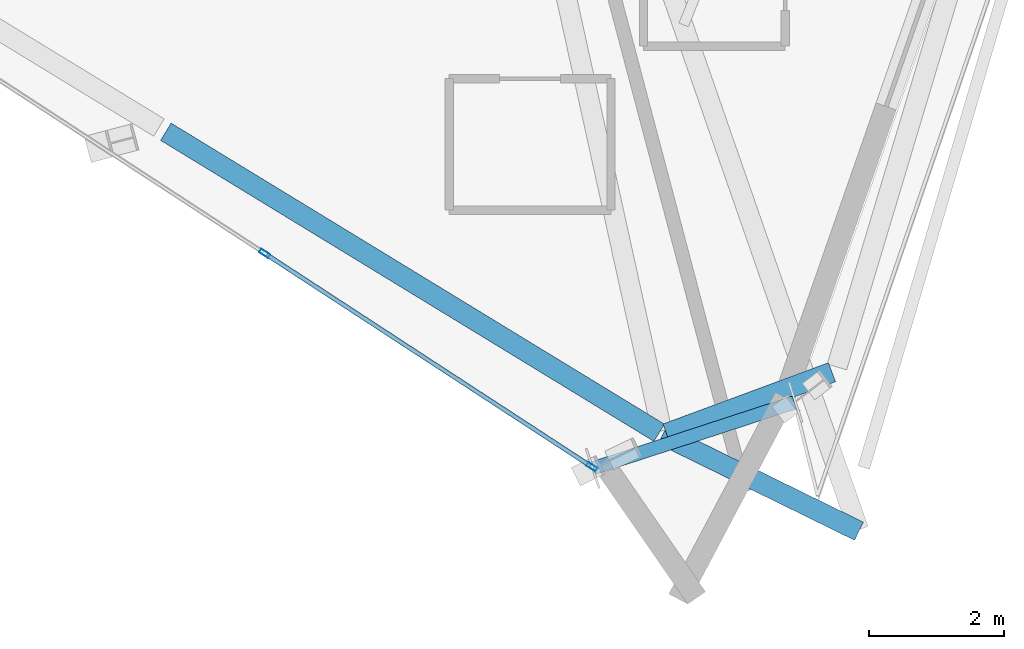
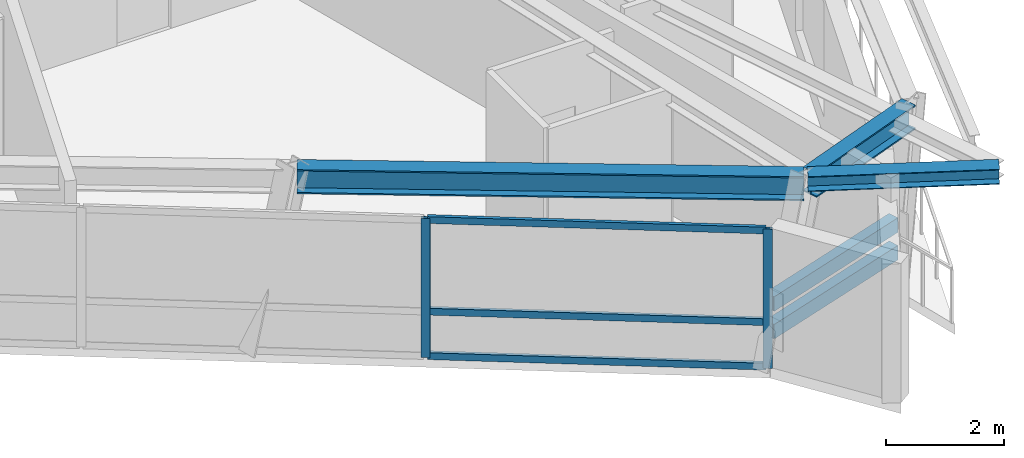
# One storey, part 3 of 14: 7 members, 3 beams, 1 element without a shape of its own.
"""IFC4 building model written with IfcOpenShell, lengths in metres."""

import ifcopenshell
import ifcopenshell.guid

model = None  # the IFC model being written
_history = None  # IfcOwnerHistory: only IFC2X3 demands one
_inside = {}  # id of a spatial element -> (the spatial element, [elements in it])
_under = {}  # id of a project, library or spatial element -> (it, [spatial elements below it])
_declared = {}  # id of a project -> (the project, [libraries it declares])
_typed = {}  # id of a type object -> (the type object, [elements of that type])
_made_of = {}  # id of a material, layer set ... -> (it, [elements and type objects made of it])


def new_model(schema):
    """Start an empty IFC model of exactly this schema.

    Asked for "IFC4X3", IfcOpenShell would pick the latest addendum, in which some entities
    have other attributes; the version numbers below select the first issue.
    IFC2X3 requires an IfcOwnerHistory on every rooted entity: one is made here for all.
    """
    global model, _history
    if schema == "IFC4X3":
        model = ifcopenshell.file(schema_version=(4, 3, 0, 0))
    else:
        model = ifcopenshell.file(schema=schema)
    _inside.clear()
    _under.clear()
    _declared.clear()
    _typed.clear()
    _made_of.clear()
    _history = None
    if model.schema == "IFC2X3":
        org = make("IfcOrganization", Name="unknown")
        user = make(
            "IfcPersonAndOrganization",
            ThePerson=make("IfcPerson", FamilyName="unknown"),
            TheOrganization=org,
        )
        app = make(
            "IfcApplication",
            ApplicationDeveloper=org,
            Version="unknown",
            ApplicationFullName="unknown",
            ApplicationIdentifier="unknown",
        )
        _history = make(
            "IfcOwnerHistory",
            OwningUser=user,
            OwningApplication=app,
            ChangeAction="ADDED",
            CreationDate=0,
        )
    return model


def make(cls, **values):
    """One entity of the class cls with the attributes given. An attribute that is None is left unset."""
    return model.create_entity(
        cls, **{name: value for name, value in values.items() if value is not None}
    )


def rooted(cls, **values):
    """An entity with a GlobalId (a new one), such as an element, a storey or a relation."""
    return make(cls, GlobalId=ifcopenshell.guid.new(), OwnerHistory=_history, **values)


def si_unit(unit_type, name, prefix=None):
    """IfcSIUnit, for example si_unit("LENGTHUNIT", "METRE", prefix="MILLI")."""
    return make("IfcSIUnit", UnitType=unit_type, Prefix=prefix, Name=name)


def assignment(units):
    """IfcUnitAssignment: the units of a project."""
    return None if units is None else make("IfcUnitAssignment", Units=units)


def point(xyz):
    """IfcCartesianPoint."""
    return None if xyz is None else make("IfcCartesianPoint", Coordinates=xyz)


def direction(xyz):
    """IfcDirection."""
    return None if xyz is None else make("IfcDirection", DirectionRatios=xyz)


def frame(location, z_axis=None, x_axis=None):
    """IfcAxis2Placement3D, a coordinate frame: its origin and axes. An axis left out is left unset."""
    return make(
        "IfcAxis2Placement3D",
        Location=point(location),
        Axis=direction(z_axis),
        RefDirection=direction(x_axis),
    )


def frame_2d(location, x_axis=None):
    """IfcAxis2Placement2D, a coordinate frame in the plane: its origin and x axis."""
    return make(
        "IfcAxis2Placement2D", Location=point(location), RefDirection=direction(x_axis)
    )


def origin():
    """The frame at (0, 0, 0) with its axes left unset."""
    return frame((0.0, 0.0, 0.0))


def origin_2d():
    """The frame at (0, 0) in the plane with its x axis left unset."""
    return frame_2d((0.0, 0.0))


def place(relative_to, where):
    """IfcLocalPlacement: puts the frame where relative to a parent placement (None: the world)."""
    return make(
        "IfcLocalPlacement", PlacementRelTo=relative_to, RelativePlacement=where
    )


def context(
    kind, dimensions, precision=None, world=None, true_north=None, identifier=None
):
    """IfcGeometricRepresentationContext, for example the 3D "Model" context."""
    return make(
        "IfcGeometricRepresentationContext",
        ContextIdentifier=identifier,
        ContextType=kind,
        CoordinateSpaceDimension=dimensions,
        Precision=precision,
        WorldCoordinateSystem=world,
        TrueNorth=true_north,
    )


def subcontext(parent, identifier, kind, view, scale=None):
    """IfcGeometricRepresentationSubContext, for example "Body" below "Model"."""
    return make(
        "IfcGeometricRepresentationSubContext",
        ContextIdentifier=identifier,
        ContextType=kind,
        ParentContext=parent,
        TargetScale=scale,
        TargetView=view,
    )


def project(units=None, contexts=None):
    """IfcProject with its units and contexts."""
    return rooted(
        "IfcProject",
        Name="project",
        RepresentationContexts=contexts,
        UnitsInContext=assignment(units),
    )


def spatial(cls, under=None, at=None, **own):
    """A site, building, storey or space (cls), placed at a placement, below another one or the project."""
    s = rooted(cls, ObjectPlacement=at, **own)
    if under is not None:
        _under.setdefault(under.id(), (under, []))[1].append(s)
    return s


def profile(cls, at=None, kind="AREA", **sizes):
    """A parametric profile (cls). Its sizes go by their IFC names, for example OverallWidth=200.0."""
    return make(cls, ProfileType=kind, Position=at, **sizes)


def hollow_rectangle(**sizes):
    """IfcRectangleHollowProfileDef."""
    return profile("IfcRectangleHollowProfileDef", **sizes)


def i_section(**sizes):
    """IfcIShapeProfileDef."""
    return profile("IfcIShapeProfileDef", **sizes)


def extrude(swept, where, along, depth):
    """IfcExtrudedAreaSolid: the profile swept, set in the frame where, extruded along a direction by depth."""
    return make(
        "IfcExtrudedAreaSolid",
        SweptArea=swept,
        Position=where,
        ExtrudedDirection=direction(along),
        Depth=depth,
    )


def shape(context_of_items, identifier, shape_type, items):
    """IfcShapeRepresentation: the items that make up one representation, for example the "Body"."""
    return make(
        "IfcShapeRepresentation",
        ContextOfItems=context_of_items,
        RepresentationIdentifier=identifier,
        RepresentationType=shape_type,
        Items=items,
    )


def source(mapping_origin, context_of_items, identifier, shape_type, items):
    """IfcRepresentationMap: a shape defined once, which mapped items show again and again."""
    return make(
        "IfcRepresentationMap",
        MappingOrigin=mapping_origin,
        MappedRepresentation=shape(context_of_items, identifier, shape_type, items),
    )


def transform(
    local_origin,
    x_axis=None,
    y_axis=None,
    z_axis=None,
    scale=None,
    scale2=None,
    scale3=None,
    uniform=True,
):
    """IfcCartesianTransformationOperator3D, or its non-uniform kind. x_axis, y_axis, z_axis: its Axis1, 2, 3."""
    if uniform:
        return make(
            "IfcCartesianTransformationOperator3D",
            Axis1=direction(x_axis),
            Axis2=direction(y_axis),
            LocalOrigin=point(local_origin),
            Scale=scale,
            Axis3=direction(z_axis),
        )
    return make(
        "IfcCartesianTransformationOperator3DnonUniform",
        Axis1=direction(x_axis),
        Axis2=direction(y_axis),
        LocalOrigin=point(local_origin),
        Scale=scale,
        Axis3=direction(z_axis),
        Scale2=scale2,
        Scale3=scale3,
    )


def mapped(mapping_source, mapping_target):
    """IfcMappedItem: shows the shape of a source again, moved by a transform."""
    return make(
        "IfcMappedItem", MappingSource=mapping_source, MappingTarget=mapping_target
    )


def material(Name=None, Category=None):
    """IfcMaterial."""
    return make("IfcMaterial", Name=Name, Category=Category)


def material_profile(
    of_material, cross_section, Name=None, Category=None, Priority=None
):
    """IfcMaterialProfile: a cross section and its material."""
    return make(
        "IfcMaterialProfile",
        Name=Name,
        Material=of_material,
        Profile=cross_section,
        Priority=Priority,
        Category=Category,
    )


def profile_set(profiles, Name=None, composite=None):
    """IfcMaterialProfileSet."""
    return make(
        "IfcMaterialProfileSet",
        Name=Name,
        MaterialProfiles=profiles,
        CompositeProfile=composite,
    )


def made_of(thing, what):
    """Note that an element or type object is made of a material, layer set ...; save() writes the relation."""
    if what is not None:
        _made_of.setdefault(what.id(), (what, []))[1].append(thing)
    return thing


def type_object(cls, material=None, **own):
    """A type object (cls), such as IfcWallType, which elements share."""
    return made_of(rooted(cls, **own), material)


def element(
    cls,
    number,
    at=None,
    inside=None,
    cuts=None,
    type_object=None,
    material=None,
    context=None,
    identifier="Body",
    shape_type=None,
    held_by="IfcProductDefinitionShape",
    body=None,
    shapes=None,
    **own,
):
    """One element of the class cls, such as IfcWall. Its Tag is "e" and its number.

    at: its placement. inside: the storey or other place that contains it. cuts: it is an
    opening in that element (IfcRelVoidsElement). A single representation is given by context,
    identifier, shape_type and body (its items); several are given by shapes. held_by: the class
    of the entity that holds the representations. save() writes the other relations.
    """
    e = rooted(cls, Tag="e%d" % number, ObjectPlacement=at, **own)
    if body is not None:
        shapes = [shape(context, identifier, shape_type, body)]
    if shapes is not None:
        e.Representation = make(held_by, Representations=shapes)
    if inside is not None:
        _inside.setdefault(inside.id(), (inside, []))[1].append(e)
    if cuts is not None:
        rooted(
            "IfcRelVoidsElement", RelatingBuildingElement=cuts, RelatedOpeningElement=e
        )
    if type_object is not None:
        _typed.setdefault(type_object.id(), (type_object, []))[1].append(e)
    return made_of(e, material)


def aggregate(whole, parts):
    """IfcRelAggregates: a whole, such as a stair, and the parts it consists of."""
    return rooted("IfcRelAggregates", RelatingObject=whole, RelatedObjects=parts)


def save(model, path):
    """Write the relations noted so far, then the file.

    IfcRelAggregates (storeys below a building ...), IfcRelContainedInSpatialStructure (elements
    in a storey), IfcRelDefinesByType, IfcRelAssociatesMaterial and IfcRelDeclares: one each for
    every whole, place, type object, material and project.
    """
    for whole, parts in _under.values():
        aggregate(whole, parts)
    for where, things in _inside.values():
        rooted(
            "IfcRelContainedInSpatialStructure",
            RelatedElements=things,
            RelatingStructure=where,
        )
    for kind, things in _typed.values():
        rooted("IfcRelDefinesByType", RelatedObjects=things, RelatingType=kind)
    for what, things in _made_of.values():
        rooted("IfcRelAssociatesMaterial", RelatedObjects=things, RelatingMaterial=what)
    for by, libraries in _declared.values():
        rooted("IfcRelDeclares", RelatingContext=by, RelatedDefinitions=libraries)
    model.write(path)


model = new_model("IFC4")

# Units and contexts
model_context = context("Model", 3, precision=1e-05, world=origin(), true_north=direction((0.0, 1.0)))
body_context = subcontext(model_context, "Body", "Model", "MODEL_VIEW")
ifc_project = project(units=[si_unit("LENGTHUNIT", "METRE"), si_unit("AREAUNIT", "SQUARE_METRE"), si_unit("VOLUMEUNIT", "CUBIC_METRE"), si_unit("PLANEANGLEUNIT", "RADIAN"), si_unit("MASSUNIT", "GRAM", prefix="KILO")], contexts=[model_context])

# Site, building, storey
site_placement = place(None, origin())
site = spatial("IfcSite", under=ifc_project, at=site_placement, CompositionType="ELEMENT")
building_placement = place(site_placement, origin())
building = spatial("IfcBuilding", under=site, at=building_placement, Name="Olszyna Solenne Hotel", CompositionType="ELEMENT")
storey_placement = place(building_placement, frame((0.0, 0.0, 252.5)))
storey = spatial("IfcBuildingStorey", under=building, at=storey_placement, Name="L67", CompositionType="ELEMENT", Elevation=252.5)

# Members
ifc_material_1 = material(Name="Steel S355J2", Category="steel")
ifc_material_profile_1 = material_profile(ifc_material_1, hollow_rectangle(XDim=0.199951171875, YDim=0.300048828125, WallThickness=0.01611328125, at=origin_2d()), Name="RHS 300x200x16", Category="load-bearing")
ifc_profile_set_1 = profile_set([ifc_material_profile_1], Name="Steel S355J2")
member_type_1 = type_object("IfcMemberType", Name="CH-PR1", PredefinedType="CHORD", material=ifc_profile_set_1)
shared_shape_1 = source(origin(), body_context, "Body", "SweptSolid", [
    extrude(hollow_rectangle(XDim=0.199951171875, YDim=0.300048828125, WallThickness=0.01611328125, at=origin_2d()), origin(), (0.0, 0.0, 1.0), 3.131591796875),
])
for number, where, z_axis, x_axis, name in (
    (1, (41.976318359375, 3.39208984375, 1.35009765625), (0.950514807338, 0.310679257484, 0.0), (-0.310679257484, 0.950514807338, 0.0), "Glass-prism tie chord CH-PR1 M-L67-PR1"),
    (2, (41.976318359375, 3.39208984375, 0.780029296875), (0.950514807338, 0.310679257484, 0.0), (-0.310679257484, 0.950514807338, 0.0), "Glass-prism tie chord CH-PR1 M-L67-PR2"),
):
    element("IfcMember", number, at=place(storey_placement, frame(where, z_axis=z_axis, x_axis=x_axis)), inside=storey, type_object=member_type_1, Name=name, PredefinedType="CHORD", context=body_context, shape_type="MappedRepresentation", body=[
        mapped(shared_shape_1, transform((0.0, 0.0, 0.0), x_axis=(1.0, 0.0, 0.0), y_axis=(0.0, 1.0, 0.0), z_axis=(0.0, 0.0, 1.0), scale=1.0)),
    ])

# Beams
ifc_material_profile_2 = material_profile(ifc_material_1, i_section(OverallWidth=0.300048828125, OverallDepth=0.5, WebThickness=0.014404296875, FlangeThickness=0.028076171875, at=origin_2d()), Name="HEB 500", Category="load-bearing")
ifc_profile_set_2 = profile_set([ifc_material_profile_2], Name="Steel S355J2")
beam_type_1 = type_object("IfcBeamType", Name="BM-S3", PredefinedType="BEAM", material=ifc_profile_set_2)
shared_shape_2 = source(origin(), body_context, "Body", "SweptSolid", [
    extrude(i_section(OverallWidth=0.300048828125, OverallDepth=0.5, WebThickness=0.014404296875, FlangeThickness=0.028076171875, at=origin_2d()), origin(), (0.0, 0.0, 1.0), 8.570068359375),
])
beam_1_placement = place(storey_placement, frame((35.631591796875, 8.37939453125, 3.1298828125), z_axis=(0.853656239991, -0.520836849622, 0.0), x_axis=(0.520836849622, 0.853656239991, 0.0)))
element("IfcBeam", 3, at=beam_1_placement, inside=storey, type_object=beam_type_1, Name="Perimeter spandrel beam BM-S3 B-L67-1977", PredefinedType="BEAM", context=body_context, shape_type="MappedRepresentation", body=[
    mapped(shared_shape_2, transform((0.0, 0.0, 0.0), x_axis=(1.0, 0.0, 0.0), y_axis=(0.0, 1.0, 0.0), z_axis=(0.0, 0.0, 1.0), scale=1.0)),
])
shared_shape_3 = source(origin(), body_context, "Body", "SweptSolid", [
    extrude(i_section(OverallWidth=0.300048828125, OverallDepth=0.5, WebThickness=0.014404296875, FlangeThickness=0.028076171875, at=origin_2d()), origin(), (0.0, 0.0, 1.0), 2.61767578125),
])
beam_2_placement = place(storey_placement, frame((43.054931640625, 3.9052734375, 3.1298828125), z_axis=(0.937853343805, 0.347031850865, 0.0), x_axis=(-0.347031850865, 0.937853343805, 0.0)))
element("IfcBeam", 4, at=beam_2_placement, inside=storey, type_object=beam_type_1, Name="Perimeter spandrel beam BM-S3 B-L67-1978", PredefinedType="BEAM", context=body_context, shape_type="MappedRepresentation", body=[
    mapped(shared_shape_3, transform((0.0, 0.0, 0.0), x_axis=(1.0, 0.0, 0.0), y_axis=(0.0, 1.0, 0.0), z_axis=(0.0, 0.0, 1.0), scale=1.0)),
])
ifc_material_profile_3 = material_profile(ifc_material_1, i_section(OverallWidth=0.300048828125, OverallDepth=0.31005859375, WebThickness=0.009033203125, FlangeThickness=0.015380859375, at=origin_2d()), Name="HEA 320", Category="load-bearing")
ifc_profile_set_3 = profile_set([ifc_material_profile_3], Name="Steel S355J2")
beam_type_2 = type_object("IfcBeamType", Name="BM-G3", PredefinedType="BEAM", material=ifc_profile_set_3)
shared_shape_4 = source(origin(), body_context, "Body", "SweptSolid", [
    extrude(i_section(OverallWidth=0.300048828125, OverallDepth=0.31005859375, WebThickness=0.009033203125, FlangeThickness=0.015380859375, at=origin_2d()), origin(), (0.0, 0.0, 1.0), 3.2431640625),
])
beam_3_placement = place(storey_placement, frame((42.99853515625, 3.884521484375, 3.22509765625), z_axis=(0.897729868125, -0.440546347024, 0.0), x_axis=(0.440546347024, 0.897729868125, 0.0)))
element("IfcBeam", 5, at=beam_3_placement, inside=storey, type_object=beam_type_2, Name="Prism side edge beam BM-G3 B-L67-1991", PredefinedType="BEAM", context=body_context, shape_type="MappedRepresentation", body=[
    mapped(shared_shape_4, transform((0.0, 0.0, 0.0), x_axis=(1.0, 0.0, 0.0), y_axis=(0.0, 1.0, 0.0), z_axis=(0.0, 0.0, 1.0), scale=1.0)),
])

# Curtain wall, members
ifc_material_2 = material(Name="Anodised bronze aluminium", Category="aluminium")
curtain_wall_type = type_object("IfcCurtainWallType", Name="CW-SYS-4", PredefinedType="NOTDEFINED", material=ifc_material_2)
curtain_wall_placement = place(storey_placement, origin())
curtain_wall = element("IfcCurtainWall", 6, at=curtain_wall_placement, inside=storey, type_object=curtain_wall_type, Name="Unitised curtain wall CW-SYS-4 CW-L67-01", PredefinedType="NOTDEFINED")
ifc_material_profile_4 = material_profile(ifc_material_2, hollow_rectangle(XDim=0.06494140625, YDim=0.159912109375, WallThickness=0.00390625, at=origin_2d()), Name="MULL 160x65x4", Category="load-bearing")
ifc_profile_set_4 = profile_set([ifc_material_profile_4], Name="Anodised bronze aluminium")
member_type_2 = type_object("IfcMemberType", Name="CW-M3", PredefinedType="MULLION", material=ifc_profile_set_4)
shared_shape_5 = source(origin(), body_context, "Body", "SweptSolid", [
    extrude(hollow_rectangle(XDim=0.06494140625, YDim=0.159912109375, WallThickness=0.00390625, at=origin_2d()), origin(), (0.0, 0.0, 1.0), 2.8720703125),
])
member_1_placement = place(storey_placement, frame((37.097900390625, 6.57470703125, 0.0), z_axis=(0.0, 0.0, 1.0), x_axis=(0.546408299047, 0.837518937537, 0.0)))
member_1 = element("IfcMember", 7, at=member_1_placement, type_object=member_type_2, Name="Curtain-wall mullion CW-M3 CM-L67-01-03", PredefinedType="MULLION", context=body_context, shape_type="MappedRepresentation", body=[
    mapped(shared_shape_5, transform((0.0, 0.0, 0.0), x_axis=(1.0, 0.0, 0.0), y_axis=(0.0, 1.0, 0.0), z_axis=(0.0, 0.0, 1.0), scale=1.0)),
])
member_2_placement = place(storey_placement, frame((41.948974609375, 3.409912109375, 0.0), z_axis=(0.0, 0.0, 1.0), x_axis=(0.546408299047, 0.837518937537, 0.0)))
member_2 = element("IfcMember", 8, at=member_2_placement, type_object=member_type_2, Name="Curtain-wall mullion CW-M3 CM-L67-01-04", PredefinedType="MULLION", context=body_context, shape_type="MappedRepresentation", body=[
    mapped(shared_shape_5, transform((0.0, 0.0, 0.0), x_axis=(1.0, 0.0, 0.0), y_axis=(0.0, 1.0, 0.0), z_axis=(0.0, 0.0, 1.0), scale=1.0)),
])
ifc_material_profile_5 = material_profile(ifc_material_2, hollow_rectangle(XDim=0.06494140625, YDim=0.139892578125, WallThickness=0.00390625, at=origin_2d()), Name="TRAN 140x65x4", Category="load-bearing")
ifc_profile_set_5 = profile_set([ifc_material_profile_5], Name="Anodised bronze aluminium")
member_type_3 = type_object("IfcMemberType", Name="CW-T2", PredefinedType="USERDEFINED", material=ifc_profile_set_5)
shared_shape_6 = source(origin(), body_context, "Body", "SweptSolid", [
    extrude(hollow_rectangle(XDim=0.06494140625, YDim=0.139892578125, WallThickness=0.00390625, at=origin_2d()), origin(), (0.0, 0.0, 1.0), 5.727294921875),
])
member_3_placement = place(storey_placement, frame((37.125244140625, 6.55712890625, 0.032470703125), z_axis=(0.837518148155, -0.546409508986, 0.0), x_axis=(0.546409508986, 0.837518148155, 0.0)))
member_3 = element("IfcMember", 9, at=member_3_placement, type_object=member_type_3, Name="Curtain-wall transom CW-T2 CT-L67-01-07", ObjectType="TRANSOM", PredefinedType="USERDEFINED", context=body_context, shape_type="MappedRepresentation", body=[
    mapped(shared_shape_6, transform((0.0, 0.0, 0.0), x_axis=(1.0, 0.0, 0.0), y_axis=(0.0, 1.0, 0.0), z_axis=(0.0, 0.0, 1.0), scale=1.0)),
])
member_4_placement = place(storey_placement, frame((37.125244140625, 6.55712890625, 0.949951171875), z_axis=(0.837518148155, -0.546409508986, 0.0), x_axis=(0.546409508986, 0.837518148155, 0.0)))
member_4 = element("IfcMember", 10, at=member_4_placement, type_object=member_type_3, Name="Curtain-wall transom CW-T2 CT-L67-01-08", ObjectType="TRANSOM", PredefinedType="USERDEFINED", context=body_context, shape_type="MappedRepresentation", body=[
    mapped(shared_shape_6, transform((0.0, 0.0, 0.0), x_axis=(1.0, 0.0, 0.0), y_axis=(0.0, 1.0, 0.0), z_axis=(0.0, 0.0, 1.0), scale=1.0)),
])
member_5_placement = place(storey_placement, frame((37.125244140625, 6.55712890625, 2.839599609375), z_axis=(0.837518148155, -0.546409508986, 0.0), x_axis=(0.546409508986, 0.837518148155, 0.0)))
member_5 = element("IfcMember", 11, at=member_5_placement, type_object=member_type_3, Name="Curtain-wall transom CW-T2 CT-L67-01-09", ObjectType="TRANSOM", PredefinedType="USERDEFINED", context=body_context, shape_type="MappedRepresentation", body=[
    mapped(shared_shape_6, transform((0.0, 0.0, 0.0), x_axis=(1.0, 0.0, 0.0), y_axis=(0.0, 1.0, 0.0), z_axis=(0.0, 0.0, 1.0), scale=1.0)),
])
aggregate(curtain_wall, [member_1, member_2, member_3, member_4, member_5])

save(model, "model.ifc")
